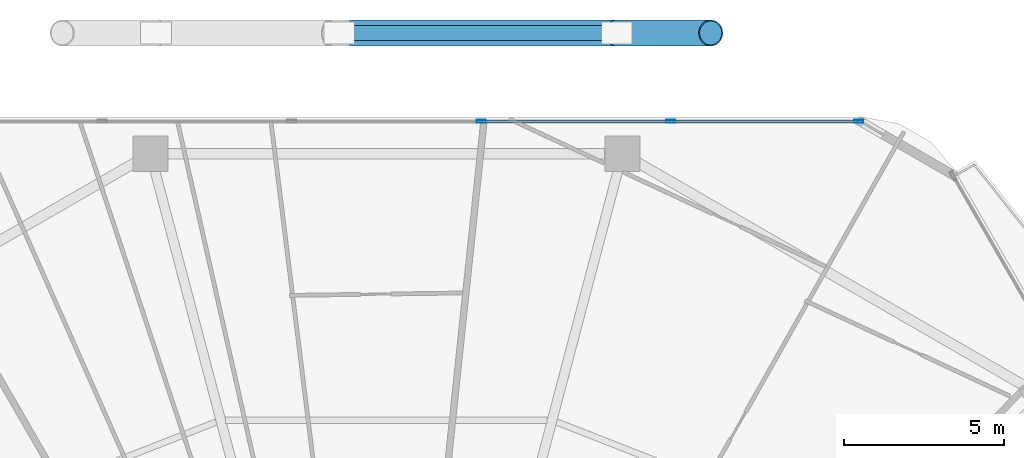
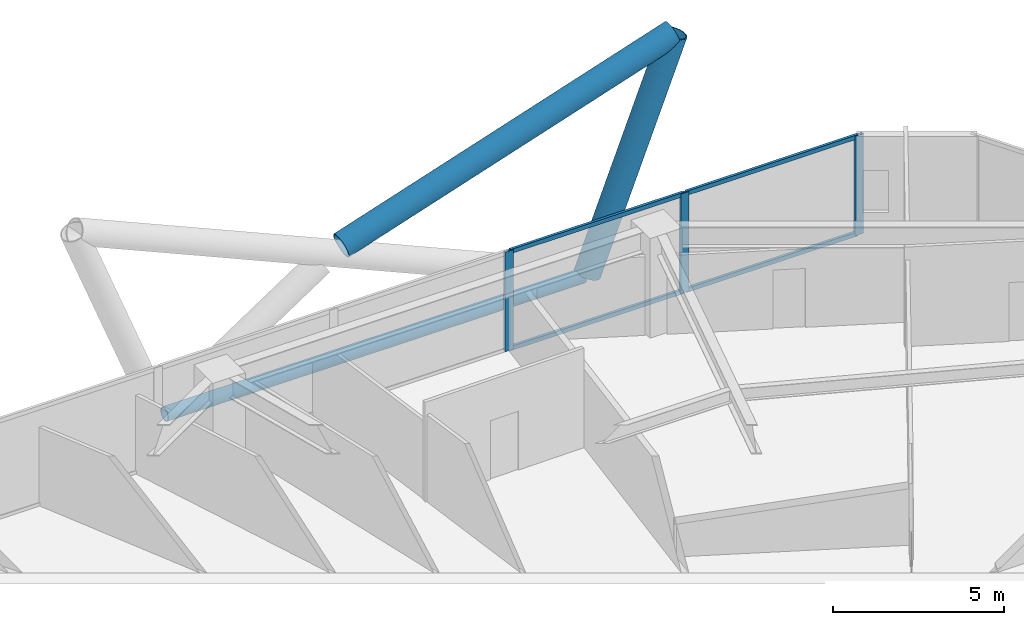
# One storey, part 22 of 34: 10 members, 1 element without a shape of its own.
"""IFC4 building model written with IfcOpenShell, lengths in metres."""

import ifcopenshell
import ifcopenshell.guid

model = None  # the IFC model being written
_history = None  # IfcOwnerHistory: only IFC2X3 demands one
_inside = {}  # id of a spatial element -> (the spatial element, [elements in it])
_under = {}  # id of a project, library or spatial element -> (it, [spatial elements below it])
_declared = {}  # id of a project -> (the project, [libraries it declares])
_typed = {}  # id of a type object -> (the type object, [elements of that type])
_made_of = {}  # id of a material, layer set ... -> (it, [elements and type objects made of it])


def new_model(schema):
    """Start an empty IFC model of exactly this schema.

    Asked for "IFC4X3", IfcOpenShell would pick the latest addendum, in which some entities
    have other attributes; the version numbers below select the first issue.
    IFC2X3 requires an IfcOwnerHistory on every rooted entity: one is made here for all.
    """
    global model, _history
    if schema == "IFC4X3":
        model = ifcopenshell.file(schema_version=(4, 3, 0, 0))
    else:
        model = ifcopenshell.file(schema=schema)
    _inside.clear()
    _under.clear()
    _declared.clear()
    _typed.clear()
    _made_of.clear()
    _history = None
    if model.schema == "IFC2X3":
        org = make("IfcOrganization", Name="unknown")
        user = make(
            "IfcPersonAndOrganization",
            ThePerson=make("IfcPerson", FamilyName="unknown"),
            TheOrganization=org,
        )
        app = make(
            "IfcApplication",
            ApplicationDeveloper=org,
            Version="unknown",
            ApplicationFullName="unknown",
            ApplicationIdentifier="unknown",
        )
        _history = make(
            "IfcOwnerHistory",
            OwningUser=user,
            OwningApplication=app,
            ChangeAction="ADDED",
            CreationDate=0,
        )
    return model


def make(cls, **values):
    """One entity of the class cls with the attributes given. An attribute that is None is left unset."""
    return model.create_entity(
        cls, **{name: value for name, value in values.items() if value is not None}
    )


def rooted(cls, **values):
    """An entity with a GlobalId (a new one), such as an element, a storey or a relation."""
    return make(cls, GlobalId=ifcopenshell.guid.new(), OwnerHistory=_history, **values)


def si_unit(unit_type, name, prefix=None):
    """IfcSIUnit, for example si_unit("LENGTHUNIT", "METRE", prefix="MILLI")."""
    return make("IfcSIUnit", UnitType=unit_type, Prefix=prefix, Name=name)


def assignment(units):
    """IfcUnitAssignment: the units of a project."""
    return None if units is None else make("IfcUnitAssignment", Units=units)


def point(xyz):
    """IfcCartesianPoint."""
    return None if xyz is None else make("IfcCartesianPoint", Coordinates=xyz)


def direction(xyz):
    """IfcDirection."""
    return None if xyz is None else make("IfcDirection", DirectionRatios=xyz)


def frame(location, z_axis=None, x_axis=None):
    """IfcAxis2Placement3D, a coordinate frame: its origin and axes. An axis left out is left unset."""
    return make(
        "IfcAxis2Placement3D",
        Location=point(location),
        Axis=direction(z_axis),
        RefDirection=direction(x_axis),
    )


def frame_2d(location, x_axis=None):
    """IfcAxis2Placement2D, a coordinate frame in the plane: its origin and x axis."""
    return make(
        "IfcAxis2Placement2D", Location=point(location), RefDirection=direction(x_axis)
    )


def origin():
    """The frame at (0, 0, 0) with its axes left unset."""
    return frame((0.0, 0.0, 0.0))


def origin_2d():
    """The frame at (0, 0) in the plane with its x axis left unset."""
    return frame_2d((0.0, 0.0))


def place(relative_to, where):
    """IfcLocalPlacement: puts the frame where relative to a parent placement (None: the world)."""
    return make(
        "IfcLocalPlacement", PlacementRelTo=relative_to, RelativePlacement=where
    )


def context(
    kind, dimensions, precision=None, world=None, true_north=None, identifier=None
):
    """IfcGeometricRepresentationContext, for example the 3D "Model" context."""
    return make(
        "IfcGeometricRepresentationContext",
        ContextIdentifier=identifier,
        ContextType=kind,
        CoordinateSpaceDimension=dimensions,
        Precision=precision,
        WorldCoordinateSystem=world,
        TrueNorth=true_north,
    )


def subcontext(parent, identifier, kind, view, scale=None):
    """IfcGeometricRepresentationSubContext, for example "Body" below "Model"."""
    return make(
        "IfcGeometricRepresentationSubContext",
        ContextIdentifier=identifier,
        ContextType=kind,
        ParentContext=parent,
        TargetScale=scale,
        TargetView=view,
    )


def project(units=None, contexts=None):
    """IfcProject with its units and contexts."""
    return rooted(
        "IfcProject",
        Name="project",
        RepresentationContexts=contexts,
        UnitsInContext=assignment(units),
    )


def spatial(cls, under=None, at=None, **own):
    """A site, building, storey or space (cls), placed at a placement, below another one or the project."""
    s = rooted(cls, ObjectPlacement=at, **own)
    if under is not None:
        _under.setdefault(under.id(), (under, []))[1].append(s)
    return s


def profile(cls, at=None, kind="AREA", **sizes):
    """A parametric profile (cls). Its sizes go by their IFC names, for example OverallWidth=200.0."""
    return make(cls, ProfileType=kind, Position=at, **sizes)


def hollow_rectangle(**sizes):
    """IfcRectangleHollowProfileDef."""
    return profile("IfcRectangleHollowProfileDef", **sizes)


def hollow_circle(**sizes):
    """IfcCircleHollowProfileDef."""
    return profile("IfcCircleHollowProfileDef", **sizes)


def extrude(swept, where, along, depth):
    """IfcExtrudedAreaSolid: the profile swept, set in the frame where, extruded along a direction by depth."""
    return make(
        "IfcExtrudedAreaSolid",
        SweptArea=swept,
        Position=where,
        ExtrudedDirection=direction(along),
        Depth=depth,
    )


def shape(context_of_items, identifier, shape_type, items):
    """IfcShapeRepresentation: the items that make up one representation, for example the "Body"."""
    return make(
        "IfcShapeRepresentation",
        ContextOfItems=context_of_items,
        RepresentationIdentifier=identifier,
        RepresentationType=shape_type,
        Items=items,
    )


def material(Name=None, Category=None):
    """IfcMaterial."""
    return make("IfcMaterial", Name=Name, Category=Category)


def material_profile(
    of_material, cross_section, Name=None, Category=None, Priority=None
):
    """IfcMaterialProfile: a cross section and its material."""
    return make(
        "IfcMaterialProfile",
        Name=Name,
        Material=of_material,
        Profile=cross_section,
        Priority=Priority,
        Category=Category,
    )


def profile_set(profiles, Name=None, composite=None):
    """IfcMaterialProfileSet."""
    return make(
        "IfcMaterialProfileSet",
        Name=Name,
        MaterialProfiles=profiles,
        CompositeProfile=composite,
    )


def made_of(thing, what):
    """Note that an element or type object is made of a material, layer set ...; save() writes the relation."""
    if what is not None:
        _made_of.setdefault(what.id(), (what, []))[1].append(thing)
    return thing


def type_object(cls, material=None, **own):
    """A type object (cls), such as IfcWallType, which elements share."""
    return made_of(rooted(cls, **own), material)


def element(
    cls,
    number,
    at=None,
    inside=None,
    cuts=None,
    type_object=None,
    material=None,
    context=None,
    identifier="Body",
    shape_type=None,
    held_by="IfcProductDefinitionShape",
    body=None,
    shapes=None,
    **own,
):
    """One element of the class cls, such as IfcWall. Its Tag is "e" and its number.

    at: its placement. inside: the storey or other place that contains it. cuts: it is an
    opening in that element (IfcRelVoidsElement). A single representation is given by context,
    identifier, shape_type and body (its items); several are given by shapes. held_by: the class
    of the entity that holds the representations. save() writes the other relations.
    """
    e = rooted(cls, Tag="e%d" % number, ObjectPlacement=at, **own)
    if body is not None:
        shapes = [shape(context, identifier, shape_type, body)]
    if shapes is not None:
        e.Representation = make(held_by, Representations=shapes)
    if inside is not None:
        _inside.setdefault(inside.id(), (inside, []))[1].append(e)
    if cuts is not None:
        rooted(
            "IfcRelVoidsElement", RelatingBuildingElement=cuts, RelatedOpeningElement=e
        )
    if type_object is not None:
        _typed.setdefault(type_object.id(), (type_object, []))[1].append(e)
    return made_of(e, material)


def aggregate(whole, parts):
    """IfcRelAggregates: a whole, such as a stair, and the parts it consists of."""
    return rooted("IfcRelAggregates", RelatingObject=whole, RelatedObjects=parts)


def save(model, path):
    """Write the relations noted so far, then the file.

    IfcRelAggregates (storeys below a building ...), IfcRelContainedInSpatialStructure (elements
    in a storey), IfcRelDefinesByType, IfcRelAssociatesMaterial and IfcRelDeclares: one each for
    every whole, place, type object, material and project.
    """
    for whole, parts in _under.values():
        aggregate(whole, parts)
    for where, things in _inside.values():
        rooted(
            "IfcRelContainedInSpatialStructure",
            RelatedElements=things,
            RelatingStructure=where,
        )
    for kind, things in _typed.values():
        rooted("IfcRelDefinesByType", RelatedObjects=things, RelatingType=kind)
    for what, things in _made_of.values():
        rooted("IfcRelAssociatesMaterial", RelatedObjects=things, RelatingMaterial=what)
    for by, libraries in _declared.values():
        rooted("IfcRelDeclares", RelatingContext=by, RelatedDefinitions=libraries)
    model.write(path)


model = new_model("IFC4")

# Units and contexts
model_context = context("Model", 3, precision=1e-05, world=origin(), true_north=direction((0.0, 1.0)))
body_context = subcontext(model_context, "Body", "Model", "MODEL_VIEW")
ifc_project = project(units=[si_unit("LENGTHUNIT", "METRE"), si_unit("AREAUNIT", "SQUARE_METRE"), si_unit("VOLUMEUNIT", "CUBIC_METRE"), si_unit("PLANEANGLEUNIT", "RADIAN"), si_unit("MASSUNIT", "GRAM", prefix="KILO")], contexts=[model_context])

# Site, building, storey
site_placement = place(None, origin())
site = spatial("IfcSite", under=ifc_project, at=site_placement, CompositionType="ELEMENT")
building_placement = place(site_placement, origin())
building = spatial("IfcBuilding", under=site, at=building_placement, Name="Zuhravey Tower", CompositionType="ELEMENT")
storey_placement = place(building_placement, frame((0.0, 0.0, 100.0)))
storey = spatial("IfcBuildingStorey", under=building, at=storey_placement, Name="L24", CompositionType="ELEMENT", Elevation=100.0)

# Curtain wall, members
ifc_material_1 = material(Name="Thermally broken anodised aluminium", Category="aluminium")
curtain_wall_type = type_object("IfcCurtainWallType", Name="Zone 1-2 Residential Curtain Wall CW3", PredefinedType="NOTDEFINED", material=ifc_material_1)
curtain_wall_placement = place(storey_placement, origin())
curtain_wall = element("IfcCurtainWall", 1, at=curtain_wall_placement, inside=storey, type_object=curtain_wall_type, Name="L24 CW3 CW-L24-F2-1", PredefinedType="NOTDEFINED")
ifc_material_2 = material(Name="Anodised aluminium", Category="aluminium")
ifc_material_profile_1 = material_profile(ifc_material_2, hollow_rectangle(XDim=0.090087890625, YDim=0.284912109375, WallThickness=0.0048828125, at=origin_2d()), Name="ALU-RHS-90x285x5")
ifc_profile_set_1 = profile_set([ifc_material_profile_1], Name="Anodised aluminium")
member_type_1 = type_object("IfcMemberType", Name="Curtain-Wall Mullion 90x180", PredefinedType="MULLION", material=ifc_profile_set_1)
member_1_placement = place(storey_placement, frame((38.9599609375, 60.95849609375, 0.0), z_axis=(0.0, 0.0, 1.0), x_axis=(0.0, 1.0, 0.0)))
member_1 = element("IfcMember", 2, at=member_1_placement, type_object=member_type_1, Name="CW3 mullion 4", PredefinedType="MULLION", context=body_context, shape_type="SweptSolid", body=[
    extrude(hollow_rectangle(XDim=0.090087890625, YDim=0.284912109375, WallThickness=0.0048828125, at=origin_2d()), origin(), (0.0, 0.0, 1.0), 3.550048828125),
])
member_2_placement = place(storey_placement, frame((44.879638671875, 60.95849609375, 0.0), z_axis=(0.0, 0.0, 1.0), x_axis=(0.0, 1.0, 0.0)))
member_2 = element("IfcMember", 3, at=member_2_placement, type_object=member_type_1, Name="CW3 mullion 5", PredefinedType="MULLION", context=body_context, shape_type="SweptSolid", body=[
    extrude(hollow_rectangle(XDim=0.090087890625, YDim=0.284912109375, WallThickness=0.0048828125, at=origin_2d()), origin(), (0.0, 0.0, 1.0), 3.550048828125),
])
member_3_placement = place(storey_placement, frame((50.75439453125, 60.95849609375, 0.0), z_axis=(0.0, 0.0, 1.0), x_axis=(0.0, 1.0, 0.0)))
member_3 = element("IfcMember", 4, at=member_3_placement, type_object=member_type_1, Name="CW3 mullion 6", PredefinedType="MULLION", context=body_context, shape_type="SweptSolid", body=[
    extrude(hollow_rectangle(XDim=0.090087890625, YDim=0.284912109375, WallThickness=0.0048828125, at=origin_2d()), origin(), (0.0, 0.0, 1.0), 3.550048828125),
])
ifc_material_profile_2 = material_profile(ifc_material_2, hollow_rectangle(XDim=0.090087890625, YDim=0.14990234375, WallThickness=0.0048828125, at=origin_2d()), Name="ALU-RHS-90x150x5")
ifc_profile_set_2 = profile_set([ifc_material_profile_2], Name="Anodised aluminium")
member_type_2 = type_object("IfcMemberType", Name="Curtain-Wall Transom 90x150", PredefinedType="USERDEFINED", material=ifc_profile_set_2)
member_4_placement = place(storey_placement, frame((39.0048828125, 60.95849609375, 0.044921875), z_axis=(1.0, 0.0, 0.0), x_axis=(0.0, 1.0, 0.0)))
member_4 = element("IfcMember", 5, at=member_4_placement, type_object=member_type_2, Name="CW3 transom 4.1", ObjectType="TRANSOM", PredefinedType="USERDEFINED", context=body_context, shape_type="SweptSolid", body=[
    extrude(hollow_rectangle(XDim=0.090087890625, YDim=0.14990234375, WallThickness=0.0048828125, at=origin_2d()), origin(), (0.0, 0.0, 1.0), 5.829833984375),
])
member_5_placement = place(storey_placement, frame((39.0048828125, 60.95849609375, 3.5048828125), z_axis=(1.0, 0.0, 0.0), x_axis=(0.0, 1.0, 0.0)))
member_5 = element("IfcMember", 6, at=member_5_placement, type_object=member_type_2, Name="CW3 transom 4.2", ObjectType="TRANSOM", PredefinedType="USERDEFINED", context=body_context, shape_type="SweptSolid", body=[
    extrude(hollow_rectangle(XDim=0.090087890625, YDim=0.14990234375, WallThickness=0.0048828125, at=origin_2d()), origin(), (0.0, 0.0, 1.0), 5.829833984375),
])
member_6_placement = place(storey_placement, frame((44.9248046875, 60.95849609375, 0.044921875), z_axis=(1.0, 0.0, 0.0), x_axis=(0.0, 1.0, 0.0)))
member_6 = element("IfcMember", 7, at=member_6_placement, type_object=member_type_2, Name="CW3 transom 5.1", ObjectType="TRANSOM", PredefinedType="USERDEFINED", context=body_context, shape_type="SweptSolid", body=[
    extrude(hollow_rectangle(XDim=0.090087890625, YDim=0.14990234375, WallThickness=0.0048828125, at=origin_2d()), origin(), (0.0, 0.0, 1.0), 5.78466796875),
])
member_7_placement = place(storey_placement, frame((44.9248046875, 60.95849609375, 3.5048828125), z_axis=(1.0, 0.0, 0.0), x_axis=(0.0, 1.0, 0.0)))
member_7 = element("IfcMember", 8, at=member_7_placement, type_object=member_type_2, Name="CW3 transom 5.2", ObjectType="TRANSOM", PredefinedType="USERDEFINED", context=body_context, shape_type="SweptSolid", body=[
    extrude(hollow_rectangle(XDim=0.090087890625, YDim=0.14990234375, WallThickness=0.0048828125, at=origin_2d()), origin(), (0.0, 0.0, 1.0), 5.78466796875),
])
aggregate(curtain_wall, [member_1, member_2, member_3, member_4, member_5, member_6, member_7])

# Members
ifc_material_3 = material(Name="Steel SM355", Category="steel")
ifc_material_profile_3 = material_profile(ifc_material_3, hollow_circle(Radius=0.228515625, WallThickness=0.02197265625, at=origin_2d()), Name="CHS-457.2x22")
ifc_profile_set_3 = profile_set([ifc_material_profile_3], Name="Steel SM355")
member_type_3 = type_object("IfcMemberType", Name="Exoskeleton Ring Tie CHS457x22", PredefinedType="CHORD", material=ifc_profile_set_3)
member_8_placement = place(storey_placement, frame((43.053955078125, 63.718505859375, -0.464111328125), z_axis=(-1.0, 0.0, 0.0), x_axis=(0.0, -1.0, 0.0)))
element("IfcMember", 9, at=member_8_placement, inside=storey, type_object=member_type_3, Name="L24 Exoskeleton Face 2 Tie EXR1", PredefinedType="CHORD", context=body_context, shape_type="SweptSolid", body=[
    extrude(hollow_circle(Radius=0.228515625, WallThickness=0.02197265625, at=origin_2d()), origin(), (0.0, 0.0, 1.0), 14.10791015625),
])
ifc_material_4 = material(Name="Steel SM460", Category="steel")
ifc_material_profile_4 = material_profile(ifc_material_4, hollow_circle(Radius=0.406494140625, WallThickness=0.035888671875, at=origin_2d()), Name="CHS-812.8x36")
ifc_profile_set_4 = profile_set([ifc_material_profile_4], Name="Steel SM460")
member_type_4 = type_object("IfcMemberType", Name="Exoskeleton Zone 1 Diagrid CHS813x36", PredefinedType="BRACE", material=ifc_profile_set_4)
member_9_placement = place(storey_placement, frame((43.202392578125, 63.718505859375, -0.44189453125), z_axis=(0.361092156446, 0.0, 0.932530136003), x_axis=(0.0, 1.0, 0.0)))
element("IfcMember", 10, at=member_9_placement, inside=storey, type_object=member_type_4, Name="L24 Face 2 Diagrid Brace 1", PredefinedType="BRACE", context=body_context, shape_type="SweptSolid", body=[
    extrude(hollow_circle(Radius=0.406494140625, WallThickness=0.035888671875, at=origin_2d()), origin(), (0.0, 0.0, 1.0), 8.1025390625),
])
member_10_placement = place(storey_placement, frame((34.9052734375, 63.718505859375, 3.459228515625), z_axis=(0.950373477591, 0.0, 0.311111319453), x_axis=(0.0, 1.0, 0.0)))
element("IfcMember", 11, at=member_10_placement, inside=storey, type_object=member_type_4, Name="L24 Face 2 Split Diagrid Brace 3B", PredefinedType="BRACE", context=body_context, shape_type="SweptSolid", body=[
    extrude(hollow_circle(Radius=0.406494140625, WallThickness=0.035888671875, at=origin_2d()), origin(), (0.0, 0.0, 1.0), 11.76318359375),
])

save(model, "model.ifc")
